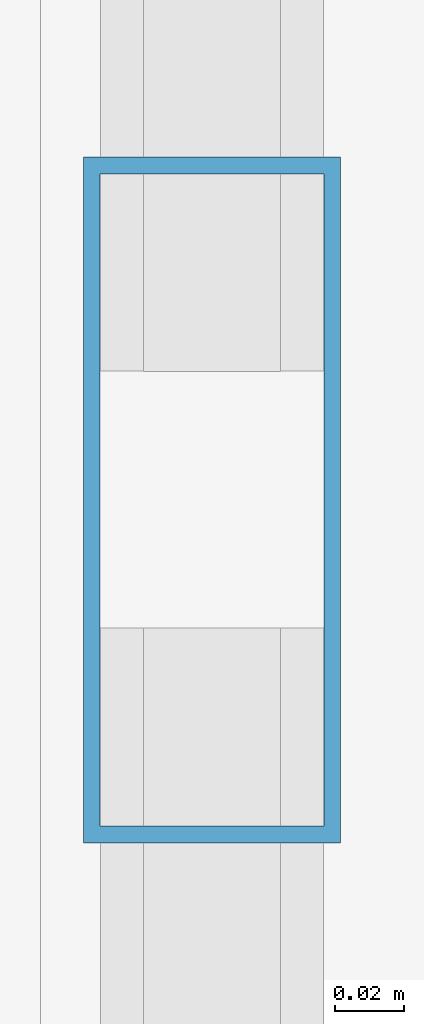
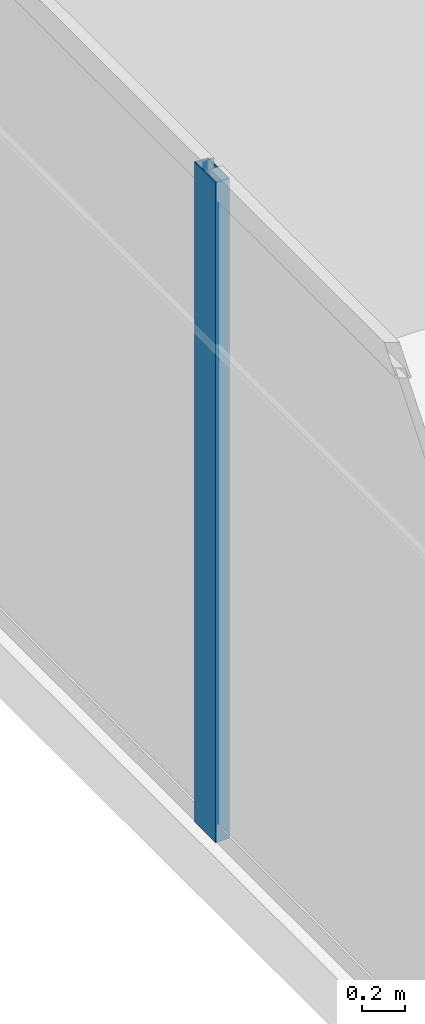
# One storey, part 8 of 33: 1 member, 1 element without a shape of its own.
"""IFC4 building model written with IfcOpenShell, lengths in metres."""

from ifc_helpers import new_model, si_unit, direction, frame, origin, origin_2d, place, context, subcontext, project, spatial, hollow_rectangle, extrude, source, transform, mapped, material, layer, layer_set, material_profile, profile_set, type_object, type_shapes, element, aggregate, save


model = new_model("IFC4")

# Units and contexts
model_context = context("Model", 3, precision=1e-05, world=origin(), true_north=direction((0.0, 1.0)))
body_context = subcontext(model_context, "Body", "Model", "MODEL_VIEW")
ifc_project = project(units=[si_unit("LENGTHUNIT", "METRE"), si_unit("AREAUNIT", "SQUARE_METRE"), si_unit("VOLUMEUNIT", "CUBIC_METRE"), si_unit("PLANEANGLEUNIT", "RADIAN"), si_unit("MASSUNIT", "GRAM", prefix="KILO")], contexts=[model_context])

# Site, building, storey
site_placement = place(None, origin())
site = spatial("IfcSite", under=ifc_project, at=site_placement, CompositionType="ELEMENT")
building_placement = place(site_placement, origin())
building = spatial("IfcBuilding", under=site, at=building_placement, Name="Haelvirn Gate Laboratories", CompositionType="ELEMENT")
storey_placement = place(building_placement, frame((0.0, 0.0, 133.800048828125)))
storey = spatial("IfcBuildingStorey", under=building, at=storey_placement, Name="L32", CompositionType="ELEMENT", Elevation=133.800048828125)

# Curtain wall, member
ifc_material_1 = material(Name="Anodised bronze unitised aluminium & triple low-E glass", Category="aluminium")
ifc_layer = layer(ifc_material_1, 0.179931640625, Name="CW-SYS-3")
ifc_layer_set = layer_set([ifc_layer], Name="Anodised bronze unitised aluminium & triple low-E glass")
curtain_wall_type = type_object("IfcCurtainWallType", Name="CW-SYS-3", PredefinedType="NOTDEFINED", material=ifc_layer_set)
curtain_wall_placement = place(storey_placement, origin())
curtain_wall = element("IfcCurtainWall", 1, at=curtain_wall_placement, inside=storey, type_object=curtain_wall_type, Name="L32 Unitised Curtain Wall CW-L32-P0-E17", PredefinedType="NOTDEFINED")
ifc_material_2 = material(Name="Extruded aluminium 6063-T6 (anodised bronze)", Category="aluminium")
ifc_material_profile = material_profile(ifc_material_2, hollow_rectangle(XDim=0.074951171875, YDim=0.199951171875, WallThickness=0.0048828125, at=origin_2d()), Name="CWM-200x75x5")
ifc_profile_set = profile_set([ifc_material_profile], Name="Extruded aluminium 6063-T6 (anodised bronze)")
member_type = type_object("IfcMemberType", Name="CWM-T200", PredefinedType="MULLION", material=ifc_profile_set)
shared_shape = source(origin(), body_context, "Body", "SweptSolid", [
    extrude(hollow_rectangle(XDim=0.074951171875, YDim=0.199951171875, WallThickness=0.0048828125, at=origin_2d()), origin(), (0.0, 0.0, 1.0), 3.7900390625),
])
type_shapes(member_type, [shared_shape])
member_placement = place(storey_placement, frame((2.10009765625, 30.966552734375, 0.0), z_axis=(0.0, 0.0, 1.0), x_axis=(1.0, 0.0, 0.0)))
member = element("IfcMember", 2, at=member_placement, type_object=member_type, Name="CW3 mullion 2", PredefinedType="MULLION", context=body_context, shape_type="MappedRepresentation", body=[
    mapped(shared_shape, transform((0.0, 0.0, 0.0), scale=1.0)),
])
aggregate(curtain_wall, [member])

save(model, "model.ifc")
